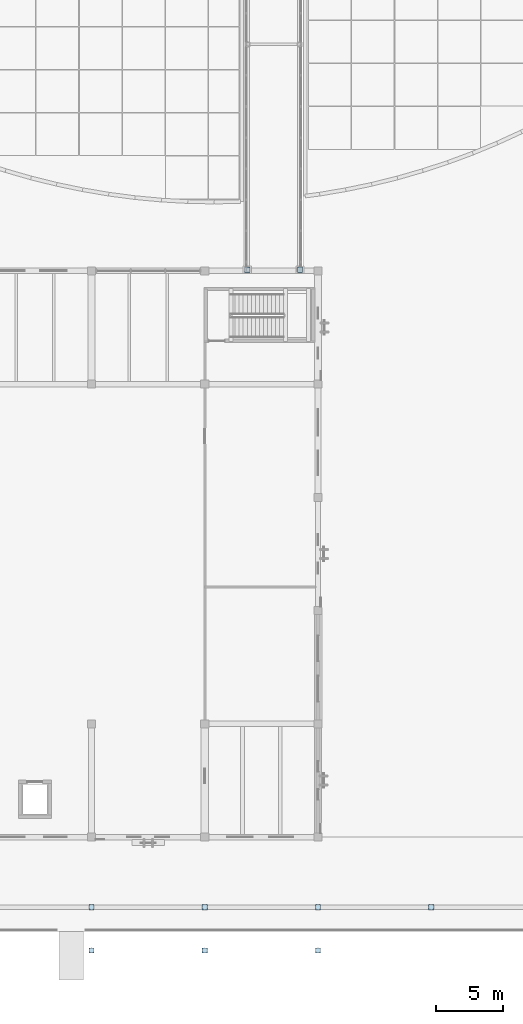
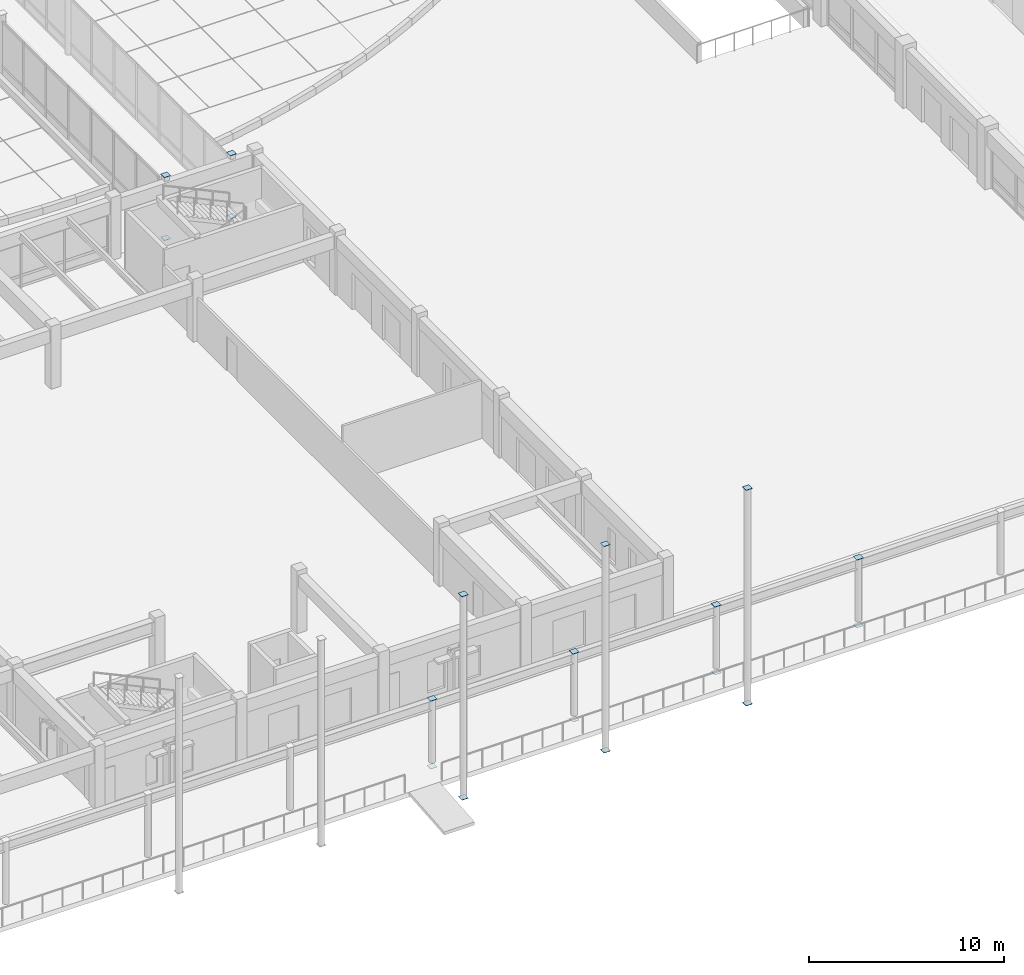
# One storey, part 76 of 135: 18 plates.
"""IFC4 building model written with IfcOpenShell, lengths in metres."""

import ifcopenshell
import ifcopenshell.guid

model = None  # the IFC model being written
_history = None  # IfcOwnerHistory: only IFC2X3 demands one
_inside = {}  # id of a spatial element -> (the spatial element, [elements in it])
_under = {}  # id of a project, library or spatial element -> (it, [spatial elements below it])
_declared = {}  # id of a project -> (the project, [libraries it declares])
_typed = {}  # id of a type object -> (the type object, [elements of that type])
_made_of = {}  # id of a material, layer set ... -> (it, [elements and type objects made of it])


def new_model(schema):
    """Start an empty IFC model of exactly this schema.

    Asked for "IFC4X3", IfcOpenShell would pick the latest addendum, in which some entities
    have other attributes; the version numbers below select the first issue.
    IFC2X3 requires an IfcOwnerHistory on every rooted entity: one is made here for all.
    """
    global model, _history
    if schema == "IFC4X3":
        model = ifcopenshell.file(schema_version=(4, 3, 0, 0))
    else:
        model = ifcopenshell.file(schema=schema)
    _inside.clear()
    _under.clear()
    _declared.clear()
    _typed.clear()
    _made_of.clear()
    _history = None
    if model.schema == "IFC2X3":
        org = make("IfcOrganization", Name="unknown")
        user = make(
            "IfcPersonAndOrganization",
            ThePerson=make("IfcPerson", FamilyName="unknown"),
            TheOrganization=org,
        )
        app = make(
            "IfcApplication",
            ApplicationDeveloper=org,
            Version="unknown",
            ApplicationFullName="unknown",
            ApplicationIdentifier="unknown",
        )
        _history = make(
            "IfcOwnerHistory",
            OwningUser=user,
            OwningApplication=app,
            ChangeAction="ADDED",
            CreationDate=0,
        )
    return model


def make(cls, **values):
    """One entity of the class cls with the attributes given. An attribute that is None is left unset."""
    return model.create_entity(
        cls, **{name: value for name, value in values.items() if value is not None}
    )


def rooted(cls, **values):
    """An entity with a GlobalId (a new one), such as an element, a storey or a relation."""
    return make(cls, GlobalId=ifcopenshell.guid.new(), OwnerHistory=_history, **values)


def si_unit(unit_type, name, prefix=None):
    """IfcSIUnit, for example si_unit("LENGTHUNIT", "METRE", prefix="MILLI")."""
    return make("IfcSIUnit", UnitType=unit_type, Prefix=prefix, Name=name)


def assignment(units):
    """IfcUnitAssignment: the units of a project."""
    return None if units is None else make("IfcUnitAssignment", Units=units)


def point(xyz):
    """IfcCartesianPoint."""
    return None if xyz is None else make("IfcCartesianPoint", Coordinates=xyz)


def direction(xyz):
    """IfcDirection."""
    return None if xyz is None else make("IfcDirection", DirectionRatios=xyz)


def frame(location, z_axis=None, x_axis=None):
    """IfcAxis2Placement3D, a coordinate frame: its origin and axes. An axis left out is left unset."""
    return make(
        "IfcAxis2Placement3D",
        Location=point(location),
        Axis=direction(z_axis),
        RefDirection=direction(x_axis),
    )


def frame_2d(location, x_axis=None):
    """IfcAxis2Placement2D, a coordinate frame in the plane: its origin and x axis."""
    return make(
        "IfcAxis2Placement2D", Location=point(location), RefDirection=direction(x_axis)
    )


def origin():
    """The frame at (0, 0, 0) with its axes left unset."""
    return frame((0.0, 0.0, 0.0))


def origin_2d():
    """The frame at (0, 0) in the plane with its x axis left unset."""
    return frame_2d((0.0, 0.0))


def place(relative_to, where):
    """IfcLocalPlacement: puts the frame where relative to a parent placement (None: the world)."""
    return make(
        "IfcLocalPlacement", PlacementRelTo=relative_to, RelativePlacement=where
    )


def context(
    kind, dimensions, precision=None, world=None, true_north=None, identifier=None
):
    """IfcGeometricRepresentationContext, for example the 3D "Model" context."""
    return make(
        "IfcGeometricRepresentationContext",
        ContextIdentifier=identifier,
        ContextType=kind,
        CoordinateSpaceDimension=dimensions,
        Precision=precision,
        WorldCoordinateSystem=world,
        TrueNorth=true_north,
    )


def subcontext(parent, identifier, kind, view, scale=None):
    """IfcGeometricRepresentationSubContext, for example "Body" below "Model"."""
    return make(
        "IfcGeometricRepresentationSubContext",
        ContextIdentifier=identifier,
        ContextType=kind,
        ParentContext=parent,
        TargetScale=scale,
        TargetView=view,
    )


def project(units=None, contexts=None):
    """IfcProject with its units and contexts."""
    return rooted(
        "IfcProject",
        Name="project",
        RepresentationContexts=contexts,
        UnitsInContext=assignment(units),
    )


def spatial(cls, under=None, at=None, **own):
    """A site, building, storey or space (cls), placed at a placement, below another one or the project."""
    s = rooted(cls, ObjectPlacement=at, **own)
    if under is not None:
        _under.setdefault(under.id(), (under, []))[1].append(s)
    return s


def profile(cls, at=None, kind="AREA", **sizes):
    """A parametric profile (cls). Its sizes go by their IFC names, for example OverallWidth=200.0."""
    return make(cls, ProfileType=kind, Position=at, **sizes)


def rectangle(**sizes):
    """IfcRectangleProfileDef."""
    return profile("IfcRectangleProfileDef", **sizes)


def extrude(swept, where, along, depth):
    """IfcExtrudedAreaSolid: the profile swept, set in the frame where, extruded along a direction by depth."""
    return make(
        "IfcExtrudedAreaSolid",
        SweptArea=swept,
        Position=where,
        ExtrudedDirection=direction(along),
        Depth=depth,
    )


def shape(context_of_items, identifier, shape_type, items):
    """IfcShapeRepresentation: the items that make up one representation, for example the "Body"."""
    return make(
        "IfcShapeRepresentation",
        ContextOfItems=context_of_items,
        RepresentationIdentifier=identifier,
        RepresentationType=shape_type,
        Items=items,
    )


def material(Name=None, Category=None):
    """IfcMaterial."""
    return make("IfcMaterial", Name=Name, Category=Category)


def layer(
    of_material, thickness, ventilated=None, Name=None, Category=None, Priority=None
):
    """IfcMaterialLayer: one layer of a wall or slab, of a material (None: an air gap)."""
    return make(
        "IfcMaterialLayer",
        Material=of_material,
        LayerThickness=thickness,
        IsVentilated=ventilated,
        Name=Name,
        Category=Category,
        Priority=Priority,
    )


def layer_set(layers, Name=None):
    """IfcMaterialLayerSet."""
    return make("IfcMaterialLayerSet", MaterialLayers=layers, LayerSetName=Name)


def made_of(thing, what):
    """Note that an element or type object is made of a material, layer set ...; save() writes the relation."""
    if what is not None:
        _made_of.setdefault(what.id(), (what, []))[1].append(thing)
    return thing


def type_object(cls, material=None, **own):
    """A type object (cls), such as IfcWallType, which elements share."""
    return made_of(rooted(cls, **own), material)


def element(
    cls,
    number,
    at=None,
    inside=None,
    cuts=None,
    type_object=None,
    material=None,
    context=None,
    identifier="Body",
    shape_type=None,
    held_by="IfcProductDefinitionShape",
    body=None,
    shapes=None,
    **own,
):
    """One element of the class cls, such as IfcWall. Its Tag is "e" and its number.

    at: its placement. inside: the storey or other place that contains it. cuts: it is an
    opening in that element (IfcRelVoidsElement). A single representation is given by context,
    identifier, shape_type and body (its items); several are given by shapes. held_by: the class
    of the entity that holds the representations. save() writes the other relations.
    """
    e = rooted(cls, Tag="e%d" % number, ObjectPlacement=at, **own)
    if body is not None:
        shapes = [shape(context, identifier, shape_type, body)]
    if shapes is not None:
        e.Representation = make(held_by, Representations=shapes)
    if inside is not None:
        _inside.setdefault(inside.id(), (inside, []))[1].append(e)
    if cuts is not None:
        rooted(
            "IfcRelVoidsElement", RelatingBuildingElement=cuts, RelatedOpeningElement=e
        )
    if type_object is not None:
        _typed.setdefault(type_object.id(), (type_object, []))[1].append(e)
    return made_of(e, material)


def aggregate(whole, parts):
    """IfcRelAggregates: a whole, such as a stair, and the parts it consists of."""
    return rooted("IfcRelAggregates", RelatingObject=whole, RelatedObjects=parts)


def save(model, path):
    """Write the relations noted so far, then the file.

    IfcRelAggregates (storeys below a building ...), IfcRelContainedInSpatialStructure (elements
    in a storey), IfcRelDefinesByType, IfcRelAssociatesMaterial and IfcRelDeclares: one each for
    every whole, place, type object, material and project.
    """
    for whole, parts in _under.values():
        aggregate(whole, parts)
    for where, things in _inside.values():
        rooted(
            "IfcRelContainedInSpatialStructure",
            RelatedElements=things,
            RelatingStructure=where,
        )
    for kind, things in _typed.values():
        rooted("IfcRelDefinesByType", RelatedObjects=things, RelatingType=kind)
    for what, things in _made_of.values():
        rooted("IfcRelAssociatesMaterial", RelatedObjects=things, RelatingMaterial=what)
    for by, libraries in _declared.values():
        rooted("IfcRelDeclares", RelatingContext=by, RelatedDefinitions=libraries)
    model.write(path)


model = new_model("IFC4")

# Units and contexts
model_context = context("Model", 3, precision=1e-05, world=origin(), true_north=direction((0.0, 1.0)))
body_context = subcontext(model_context, "Body", "Model", "MODEL_VIEW")
ifc_project = project(units=[si_unit("LENGTHUNIT", "METRE"), si_unit("AREAUNIT", "SQUARE_METRE"), si_unit("VOLUMEUNIT", "CUBIC_METRE"), si_unit("PLANEANGLEUNIT", "RADIAN"), si_unit("MASSUNIT", "GRAM", prefix="KILO")], contexts=[model_context])

# Site, building, storey
site_placement = place(None, origin())
site = spatial("IfcSite", under=ifc_project, at=site_placement, CompositionType="ELEMENT")
building_placement = place(site_placement, origin())
building = spatial("IfcBuilding", under=site, at=building_placement, Name="Cumbredor Promenade Congress Hotel", CompositionType="ELEMENT")
storey_placement = place(building_placement, origin())
storey = spatial("IfcBuildingStorey", under=building, at=storey_placement, Name="L00", CompositionType="ELEMENT", Elevation=0.0)

# Plates
ifc_material = material(Name="Steel ASTM A572 Grade 50", Category="steel")
ifc_layer = layer(ifc_material, 0.02001953125, Name="Steel ASTM A572 Grade 50", Category="steel")
ifc_layer_set = layer_set([ifc_layer], Name="Steel ASTM A572 Grade 50")
plate_type = type_object("IfcPlateType", Name="Hollow Section End Cap Plate CP-04", PredefinedType="USERDEFINED", material=ifc_layer_set)
for number, where, z_axis, x_axis, name in (
    (1, (92.39990234375, 3.199951171875, -0.318115234375), (0.0, 0.0, 1.0), (1.0, 0.0, 0.0), "Promenade Colonnade Column TC-019 Start Cap Plate"),
    (2, (92.39990234375, 3.199951171875, 3.91796875), (0.0, 0.0, 1.0), (1.0, 0.0, 0.0), "Promenade Colonnade Column TC-019 End Cap Plate"),
    (3, (100.800048828125, 3.199951171875, -0.318115234375), (0.0, 0.0, 1.0), (1.0, 0.0, 0.0), "Promenade Colonnade Column TC-020 Start Cap Plate"),
    (4, (100.800048828125, 3.199951171875, 3.91796875), (0.0, 0.0, 1.0), (1.0, 0.0, 0.0), "Promenade Colonnade Column TC-020 End Cap Plate"),
    (5, (109.199951171875, 3.199951171875, -0.318115234375), (0.0, 0.0, 1.0), (1.0, 0.0, 0.0), "Promenade Colonnade Column TC-021 Start Cap Plate"),
    (6, (109.199951171875, 3.199951171875, 3.91796875), (0.0, 0.0, 1.0), (1.0, 0.0, 0.0), "Promenade Colonnade Column TC-021 End Cap Plate"),
    (7, (117.60009765625, 3.199951171875, -0.318115234375), (0.0, 0.0, 1.0), (1.0, 0.0, 0.0), "Promenade Colonnade Column TC-022 Start Cap Plate"),
    (8, (117.60009765625, 3.199951171875, 3.91796875), (0.0, 0.0, 1.0), (1.0, 0.0, 0.0), "Promenade Colonnade Column TC-022 End Cap Plate"),
    (9, (92.39990234375, 0.0, -0.318115234375), (0.0, 0.0, 1.0), (1.0, 0.0, 0.0), "Thermal Spa and Hydrotherapy Pavilion Slim Overhang Pavilion Column 03 Start Cap Plate"),
    (10, (92.39990234375, 0.0, 12.3876953125), (0.0, 0.0, 1.0), (1.0, 0.0, 0.0), "Thermal Spa and Hydrotherapy Pavilion Slim Overhang Pavilion Column 03 End Cap Plate"),
    (11, (100.800048828125, 0.0, -0.318115234375), (0.0, 0.0, 1.0), (1.0, 0.0, 0.0), "Thermal Spa and Hydrotherapy Pavilion Slim Overhang Pavilion Column 04 Start Cap Plate"),
    (12, (100.800048828125, 0.0, 12.578369140625), (0.0, 0.0, 1.0), (1.0, 0.0, 0.0), "Thermal Spa and Hydrotherapy Pavilion Slim Overhang Pavilion Column 04 End Cap Plate"),
    (13, (109.199951171875, 0.0, -0.318115234375), (0.0, 0.0, 1.0), (1.0, 0.0, 0.0), "Thermal Spa and Hydrotherapy Pavilion Slim Overhang Pavilion Column 05 Start Cap Plate"),
    (14, (109.199951171875, 0.0, 13.149169921875), (0.0, 0.0, 1.0), (1.0, 0.0, 0.0), "Thermal Spa and Hydrotherapy Pavilion Slim Overhang Pavilion Column 05 End Cap Plate"),
    (15, (103.949951171875, 50.47998046875, -0.01806640625), (0.0, 0.0, 1.0), (1.0, 0.0, 0.0), "L00 Central Reflecting-Pool Promenade Bridge Support Column 1 Start Cap Plate"),
    (16, (103.949951171875, 50.47998046875, 3.91796875), (0.0, 0.0, 1.0), (1.0, 0.0, 0.0), "L00 Central Reflecting-Pool Promenade Bridge Support Column 1 End Cap Plate"),
    (17, (107.85009765625, 50.47998046875, -0.01806640625), (0.0, 0.0, 1.0), (1.0, 0.0, 0.0), "L00 Central Reflecting-Pool Promenade Bridge Support Column 2 Start Cap Plate"),
    (18, (107.85009765625, 50.47998046875, 3.91796875), (0.0, 0.0, 1.0), (1.0, 0.0, 0.0), "L00 Central Reflecting-Pool Promenade Bridge Support Column 2 End Cap Plate"),
):
    element("IfcPlate", number, at=place(storey_placement, frame(where, z_axis=z_axis, x_axis=x_axis)), inside=storey, type_object=plate_type, Name=name, ObjectType="CAP PLATE", PredefinedType="USERDEFINED", context=body_context, shape_type="SweptSolid", body=[
        extrude(rectangle(XDim=0.3798828125, YDim=0.3798828125, at=origin_2d()), origin(), (0.0, 0.0, 1.0), 0.02001953125),
    ])

save(model, "model.ifc")
